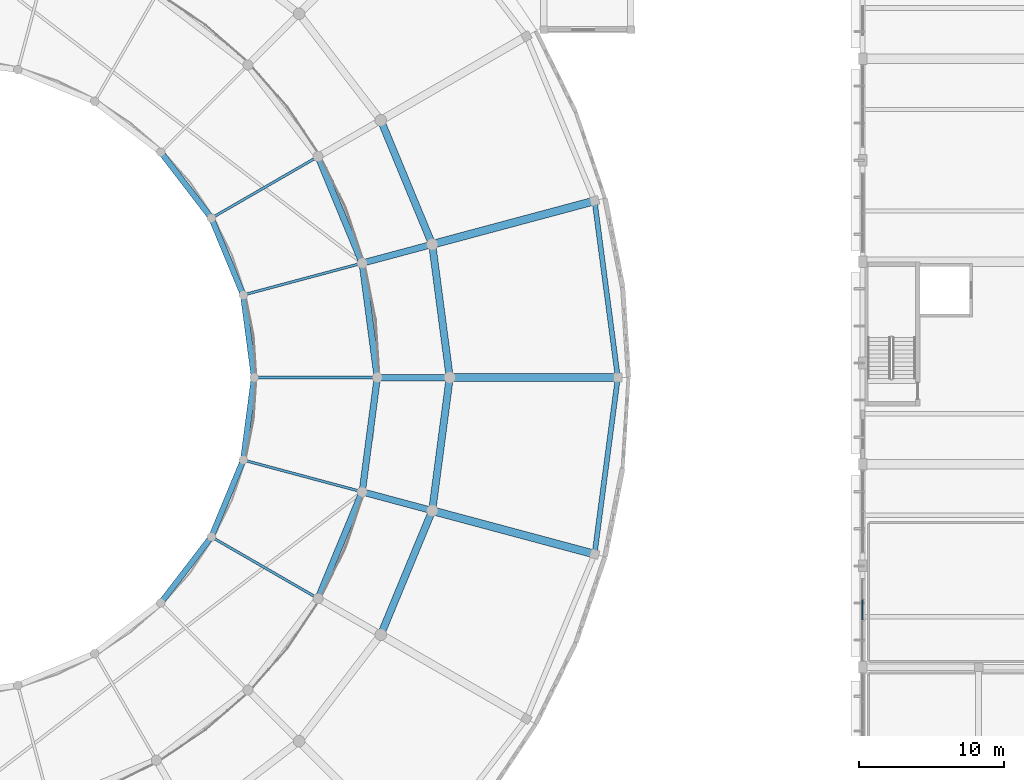
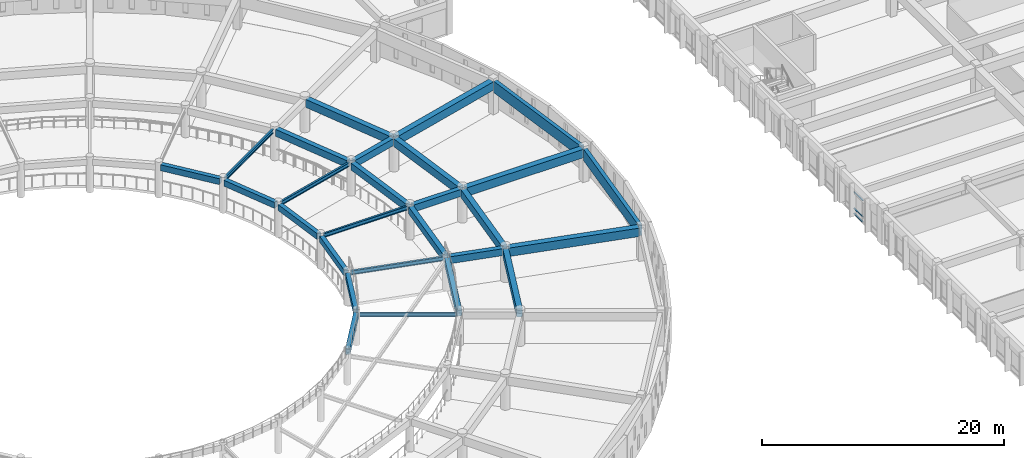
# One storey, part 14 of 155: 27 beams, 3 members, 1 element without a shape of its own.
"""IFC4 building model written with IfcOpenShell, lengths in metres."""

from ifc_helpers import new_model, si_unit, direction, frame, origin, origin_2d, place, context, subcontext, project, spatial, rectangle, i_section, extrude, material, material_profile, profile_set, type_object, element, aggregate, save


model = new_model("IFC4")

# Units and contexts
model_context = context("Model", 3, precision=1e-05, world=origin(), true_north=direction((0.0, 1.0)))
body_context = subcontext(model_context, "Body", "Model", "MODEL_VIEW")
ifc_project = project(units=[si_unit("LENGTHUNIT", "METRE"), si_unit("AREAUNIT", "SQUARE_METRE"), si_unit("VOLUMEUNIT", "CUBIC_METRE"), si_unit("PLANEANGLEUNIT", "RADIAN"), si_unit("MASSUNIT", "GRAM", prefix="KILO")], contexts=[model_context])

# Site, building, storey
site_placement = place(None, origin())
site = spatial("IfcSite", under=ifc_project, at=site_placement, CompositionType="ELEMENT")
building_placement = place(site_placement, origin())
building = spatial("IfcBuilding", under=site, at=building_placement, Name="Larkveld Mobility Hub", CompositionType="ELEMENT")
storey_placement = place(building_placement, frame((0.0, 0.0, 8.39990234375)))
storey = spatial("IfcBuildingStorey", under=building, at=storey_placement, Name="L02", CompositionType="ELEMENT", Elevation=8.39990234375)

# Beams
ifc_material_1 = material(Name="Concrete C40/50", Category="concrete")
ifc_material_profile_1 = material_profile(ifc_material_1, rectangle(XDim=0.39990234375, YDim=0.60009765625, at=origin_2d()), Name="RC BM 400x600")
ifc_profile_set_1 = profile_set([ifc_material_profile_1], Name="Concrete C40/50")
beam_type_1 = type_object("IfcBeamType", Name="BM-RC4060", PredefinedType="BEAM", material=ifc_profile_set_1)
beam_1_placement = place(storey_placement, frame((69.968994140625, 48.238037109375, 3.03515625), z_axis=(-0.130717291413, 0.991419683951, 0.0), x_axis=(-0.991419683951, -0.130717291413, 0.0)))
element("IfcBeam", 1, at=beam_1_placement, inside=storey, type_object=beam_type_1, Name="Drum Chord Ring Beam L02-1620", PredefinedType="BEAM", context=body_context, shape_type="SweptSolid", body=[
    extrude(rectangle(XDim=0.39990234375, YDim=0.60009765625, at=origin_2d()), origin(), (0.0, 0.0, 1.0), 5.26318359375),
])
beam_2_placement = place(storey_placement, frame((69.157958984375, 53.916015625, 3.03515625), z_axis=(-0.382522527323, 0.923946165147, 0.0), x_axis=(-0.923946165147, -0.382522527323, 0.0)))
element("IfcBeam", 2, at=beam_2_placement, inside=storey, type_object=beam_type_1, Name="Drum Chord Ring Beam L02-1624", PredefinedType="BEAM", context=body_context, shape_type="SweptSolid", body=[
    extrude(rectangle(XDim=0.39990234375, YDim=0.60009765625, at=origin_2d()), origin(), (0.0, 0.0, 1.0), 5.26220703125),
])
for number, where, z_axis, x_axis, name in (
    (3, (66.906982421875, 59.18994140625, 3.03515625), (-0.608845256975, 0.793289009793, 0.0), (-0.793289009793, -0.608845256975, 0.0), "Drum Chord Ring Beam L02-1628"),
    (4, (63.701904296875, 32.634033203125, 3.03515625), (0.608845256975, 0.793289009793, 0.0), (-0.793289009793, 0.608845256975, 0.0), "Drum Chord Ring Beam L02-1703"),
):
    element("IfcBeam", number, at=place(storey_placement, frame(where, z_axis=z_axis, x_axis=x_axis)), inside=storey, type_object=beam_type_1, Name=name, PredefinedType="BEAM", context=body_context, shape_type="SweptSolid", body=[
        extrude(rectangle(XDim=0.39990234375, YDim=0.60009765625, at=origin_2d()), origin(), (0.0, 0.0, 1.0), 5.26416015625),
    ])
beam_3_placement = place(storey_placement, frame((67.14501953125, 37.221923828125, 3.03515625), z_axis=(0.382522527323, 0.923946165147, 0.0), x_axis=(-0.923946165147, 0.382522527323, 0.0)))
element("IfcBeam", 5, at=beam_3_placement, inside=storey, type_object=beam_type_1, Name="Drum Chord Ring Beam L02-1707", PredefinedType="BEAM", context=body_context, shape_type="SweptSolid", body=[
    extrude(rectangle(XDim=0.39990234375, YDim=0.60009765625, at=origin_2d()), origin(), (0.0, 0.0, 1.0), 5.26220703125),
])
beam_4_placement = place(storey_placement, frame((69.281005859375, 42.5439453125, 3.03515625), z_axis=(0.130717291413, 0.991419683951, 0.0), x_axis=(-0.991419683951, 0.130717291413, 0.0)))
element("IfcBeam", 6, at=beam_4_placement, inside=storey, type_object=beam_type_1, Name="Drum Chord Ring Beam L02-1711", PredefinedType="BEAM", context=body_context, shape_type="SweptSolid", body=[
    extrude(rectangle(XDim=0.39990234375, YDim=0.60009765625, at=origin_2d()), origin(), (0.0, 0.0, 1.0), 5.26318359375),
])
ifc_material_profile_2 = material_profile(ifc_material_1, rectangle(XDim=0.449951171875, YDim=0.699951171875, at=origin_2d()), Name="RC BM 450x700")
ifc_profile_set_2 = profile_set([ifc_material_profile_2], Name="Concrete C40/50")
beam_type_2 = type_object("IfcBeamType", Name="BM-RC4570", PredefinedType="BEAM", material=ifc_profile_set_2)
beam_5_placement = place(storey_placement, frame((78.739990234375, 48.0, 2.985107421875), z_axis=(1.0, 0.0, 0.0), x_axis=(0.0, 1.0, 0.0)))
element("IfcBeam", 7, at=beam_5_placement, inside=storey, type_object=beam_type_2, Name="Drum Radial Girder L02-1550", PredefinedType="BEAM", context=body_context, shape_type="SweptSolid", body=[
    extrude(rectangle(XDim=0.449951171875, YDim=0.699951171875, at=origin_2d()), origin(), (0.0, 0.0, 1.0), 4.52001953125),
])
for number, where, z_axis, x_axis, name in (
    (8, (77.693115234375, 55.9560546875, 2.985107421875), (0.96590777444, 0.258886406125, 0.0), (-0.258886406125, 0.96590777444, 0.0), "Drum Radial Girder L02-1553"),
    (9, (77.693115234375, 40.0439453125, 2.985107421875), (0.96590777444, -0.258886406125, 0.0), (0.258886406125, 0.96590777444, 0.0), "Drum Radial Girder L02-1618"),
):
    element("IfcBeam", number, at=place(storey_placement, frame(where, z_axis=z_axis, x_axis=x_axis)), inside=storey, type_object=beam_type_2, Name=name, PredefinedType="BEAM", context=body_context, shape_type="SweptSolid", body=[
        extrude(rectangle(XDim=0.449951171875, YDim=0.699951171875, at=origin_2d()), origin(), (0.0, 0.0, 1.0), 4.51904296875),
    ])
beam_6_placement = place(storey_placement, frame((78.468994140625, 48.238037109375, 2.985107421875), z_axis=(-0.1305861874, 0.991436961012, 0.0), x_axis=(-0.991436961012, -0.1305861874, 0.0)))
element("IfcBeam", 10, at=beam_6_placement, inside=storey, type_object=beam_type_2, Name="Drum Chord Ring Beam L02-1621", PredefinedType="BEAM", context=body_context, shape_type="SweptSolid", body=[
    extrude(rectangle(XDim=0.449951171875, YDim=0.699951171875, at=origin_2d()), origin(), (0.0, 0.0, 1.0), 7.48193359375),
])
for number, where, z_axis, x_axis, name in (
    (11, (77.368896484375, 56.115966796875, 2.985107421875), (-0.382649607255, 0.923893542605, 0.0), (-0.923893542605, -0.382649607255, 0.0), "Drum Chord Ring Beam L02-1625"),
    (12, (74.506103515625, 32.971923828125, 2.985107421875), (0.382649607255, 0.923893542605, 0.0), (-0.923893542605, 0.382649607255, 0.0), "Drum Chord Ring Beam L02-1708"),
):
    element("IfcBeam", number, at=place(storey_placement, frame(where, z_axis=z_axis, x_axis=x_axis)), inside=storey, type_object=beam_type_2, Name=name, PredefinedType="BEAM", context=body_context, shape_type="SweptSolid", body=[
        extrude(rectangle(XDim=0.449951171875, YDim=0.699951171875, at=origin_2d()), origin(), (0.0, 0.0, 1.0), 7.4814453125),
    ])
beam_7_placement = place(storey_placement, frame((77.491943359375, 40.343994140625, 2.985107421875), z_axis=(0.1305861874, 0.991436961012, 0.0), x_axis=(-0.991436961012, 0.1305861874, 0.0)))
element("IfcBeam", 13, at=beam_7_placement, inside=storey, type_object=beam_type_2, Name="Drum Chord Ring Beam L02-1712", PredefinedType="BEAM", context=body_context, shape_type="SweptSolid", body=[
    extrude(rectangle(XDim=0.449951171875, YDim=0.699951171875, at=origin_2d()), origin(), (0.0, 0.0, 1.0), 7.48193359375),
])
ifc_material_profile_3 = material_profile(ifc_material_1, rectangle(XDim=0.5, YDim=0.800048828125, at=origin_2d()), Name="RC BM 500x800")
ifc_profile_set_3 = profile_set([ifc_material_profile_3], Name="Concrete C40/50")
beam_type_3 = type_object("IfcBeamType", Name="BM-RC5080", PredefinedType="BEAM", material=ifc_profile_set_3)
beam_8_placement = place(storey_placement, frame((83.468994140625, 48.238037109375, 2.93505859375), z_axis=(-0.130638498674, 0.991430069478, 0.0), x_axis=(-0.991430069478, -0.130638498674, 0.0)))
element("IfcBeam", 14, at=beam_8_placement, inside=storey, type_object=beam_type_3, Name="Drum Chord Ring Beam L02-1622", PredefinedType="BEAM", context=body_context, shape_type="SweptSolid", body=[
    extrude(rectangle(XDim=0.5, YDim=0.800048828125, at=origin_2d()), origin(), (0.0, 0.0, 1.0), 8.787109375),
])
for number, where, z_axis, x_axis, name in (
    (15, (82.197998046875, 57.409912109375, 2.93505859375), (-0.382625816799, 0.923903395556, 0.0), (-0.923903395556, -0.382625816799, 0.0), "Drum Chord Ring Beam L02-1626"),
    (16, (78.8359375, 30.471923828125, 2.93505859375), (0.382625816799, 0.923903395556, 0.0), (-0.923903395556, 0.382625816799, 0.0), "Drum Chord Ring Beam L02-1709"),
):
    element("IfcBeam", number, at=place(storey_placement, frame(where, z_axis=z_axis, x_axis=x_axis)), inside=storey, type_object=beam_type_3, Name=name, PredefinedType="BEAM", context=body_context, shape_type="SweptSolid", body=[
        extrude(rectangle(XDim=0.5, YDim=0.800048828125, at=origin_2d()), origin(), (0.0, 0.0, 1.0), 8.786865234375),
    ])
beam_9_placement = place(storey_placement, frame((82.321044921875, 39.050048828125, 2.93505859375), z_axis=(0.130638498674, 0.991430069478, 0.0), x_axis=(-0.991430069478, 0.130638498674, 0.0)))
element("IfcBeam", 17, at=beam_9_placement, inside=storey, type_object=beam_type_3, Name="Drum Chord Ring Beam L02-1713", PredefinedType="BEAM", context=body_context, shape_type="SweptSolid", body=[
    extrude(rectangle(XDim=0.5, YDim=0.800048828125, at=origin_2d()), origin(), (0.0, 0.0, 1.0), 8.787109375),
])
ifc_material_profile_4 = material_profile(ifc_material_1, rectangle(XDim=0.550048828125, YDim=0.85009765625, at=origin_2d()), Name="RC BM 550x850")
ifc_profile_set_4 = profile_set([ifc_material_profile_4], Name="Concrete C40/50")
beam_type_4 = type_object("IfcBeamType", Name="BM-RC5585", PredefinedType="BEAM", material=ifc_profile_set_4)
beam_10_placement = place(storey_placement, frame((83.739990234375, 48.0, 2.91015625), z_axis=(1.0, 0.0, 0.0), x_axis=(0.0, 1.0, 0.0)))
element("IfcBeam", 18, at=beam_10_placement, inside=storey, type_object=beam_type_4, Name="Drum Radial Girder L02-1551", PredefinedType="BEAM", context=body_context, shape_type="SweptSolid", body=[
    extrude(rectangle(XDim=0.550048828125, YDim=0.85009765625, at=origin_2d()), origin(), (0.0, 0.0, 1.0), 11.1201171875),
])
for number, where, z_axis, x_axis, name in (
    (19, (82.52197265625, 57.25, 2.91015625), (0.965928157481, 0.258810344821, 0.0), (-0.258810344821, 0.965928157481, 0.0), "Drum Radial Girder L02-1554"),
    (20, (82.52197265625, 38.75, 2.91015625), (0.965928157481, -0.258810344821, 0.0), (0.258810344821, 0.965928157481, 0.0), "Drum Radial Girder L02-1619"),
):
    element("IfcBeam", number, at=place(storey_placement, frame(where, z_axis=z_axis, x_axis=x_axis)), inside=storey, type_object=beam_type_4, Name=name, PredefinedType="BEAM", context=body_context, shape_type="SweptSolid", body=[
        extrude(rectangle(XDim=0.550048828125, YDim=0.85009765625, at=origin_2d()), origin(), (0.0, 0.0, 1.0), 11.119873046875),
    ])
ifc_material_2 = material(Name="Precast concrete C50/60", Category="concrete")
ifc_material_profile_5 = material_profile(ifc_material_2, rectangle(XDim=0.35009765625, YDim=1.14990234375, at=origin_2d()), Name="PC SP 350x1150")
ifc_profile_set_5 = profile_set([ifc_material_profile_5], Name="Precast concrete C50/60")
beam_type_5 = type_object("IfcBeamType", Name="BM-SP35115", PredefinedType="SPANDREL", material=ifc_profile_set_5)
for number, where, z_axis, x_axis, name in (
    (21, (95.069091796875, 48.238037109375, 2.760009765625), (-0.130613798255, 0.991433323883, 0.0), (-0.991433323883, -0.130613798255, 0.0), "Drum Chord Ring Beam L02-1623"),
    (22, (93.52587890625, 36.048095703125, 2.760009765625), (0.130613798255, 0.991433323883, 0.0), (-0.991433323883, 0.130613798255, 0.0), "Drum Chord Ring Beam L02-1714"),
):
    element("IfcBeam", number, at=place(storey_placement, frame(where, z_axis=z_axis, x_axis=x_axis)), inside=storey, type_object=beam_type_5, Name=name, PredefinedType="SPANDREL", context=body_context, shape_type="SweptSolid", body=[
        extrude(rectangle(XDim=0.35009765625, YDim=1.14990234375, at=origin_2d()), origin(), (0.0, 0.0, 1.0), 11.815185546875),
    ])
ifc_material_3 = material(Name="Steel S355JR", Category="steel")
ifc_material_profile_6 = material_profile(ifc_material_3, i_section(OverallWidth=0.179931640625, OverallDepth=0.39990234375, WebThickness=0.008544921875, FlangeThickness=0.013427734375, FilletRadius=0.02099609375, at=origin_2d()), Name="IPE 400")
ifc_profile_set_6 = profile_set([ifc_material_profile_6], Name="Steel S355JR")
beam_type_6 = type_object("IfcBeamType", Name="BM-STIPE400", PredefinedType="BEAM", material=ifc_profile_set_6)
beam_11_placement = place(storey_placement, frame((70.239990234375, 48.0, 3.135009765625), z_axis=(1.0, 0.0, 0.0), x_axis=(0.0, 1.0, 0.0)))
element("IfcBeam", 23, at=beam_11_placement, inside=storey, type_object=beam_type_6, Name="Drum Radial Girder L02-1549", PredefinedType="BEAM", context=body_context, shape_type="SweptSolid", body=[
    extrude(i_section(OverallWidth=0.179931640625, OverallDepth=0.39990234375, WebThickness=0.008544921875, FlangeThickness=0.013427734375, FilletRadius=0.02099609375, at=origin_2d()), origin(), (0.0, 0.0, 1.0), 8.02001953125),
])
beam_12_placement = place(storey_placement, frame((69.48193359375, 53.756103515625, 3.135009765625), z_axis=(0.96592250653, 0.258831434294, 0.0), x_axis=(-0.258831434294, 0.96592250653, 0.0)))
element("IfcBeam", 24, at=beam_12_placement, inside=storey, type_object=beam_type_6, Name="Drum Radial Girder L02-1552", PredefinedType="BEAM", context=body_context, shape_type="SweptSolid", body=[
    extrude(i_section(OverallWidth=0.179931640625, OverallDepth=0.39990234375, WebThickness=0.008544921875, FlangeThickness=0.013427734375, FilletRadius=0.02099609375, at=origin_2d()), origin(), (0.0, 0.0, 1.0), 8.020263671875),
])
for number, where, z_axis, x_axis, name in (
    (25, (67.260986328125, 59.1201171875, 3.135009765625), (0.86602386286, 0.50000266895, 0.0), (-0.50000266895, 0.86602386286, 0.0), "Drum Radial Girder L02-1555"),
    (26, (67.260986328125, 36.8798828125, 2.955078125), (0.86602386286, -0.50000266895, 0.0), (0.50000266895, 0.86602386286, 0.0), "Drum Radial Girder L02-1614"),
):
    element("IfcBeam", number, at=place(storey_placement, frame(where, z_axis=z_axis, x_axis=x_axis)), inside=storey, type_object=beam_type_6, Name=name, PredefinedType="BEAM", context=body_context, shape_type="SweptSolid", body=[
        extrude(i_section(OverallWidth=0.179931640625, OverallDepth=0.39990234375, WebThickness=0.008544921875, FlangeThickness=0.013427734375, FilletRadius=0.02099609375, at=origin_2d()), origin(), (0.0, 0.0, 1.0), 8.01953125),
    ])
beam_13_placement = place(storey_placement, frame((69.48193359375, 42.243896484375, 3.135009765625), z_axis=(0.96592250653, -0.258831434294, 0.0), x_axis=(0.258831434294, 0.96592250653, 0.0)))
element("IfcBeam", 27, at=beam_13_placement, inside=storey, type_object=beam_type_6, Name="Drum Radial Girder L02-1617", PredefinedType="BEAM", context=body_context, shape_type="SweptSolid", body=[
    extrude(i_section(OverallWidth=0.179931640625, OverallDepth=0.39990234375, WebThickness=0.008544921875, FlangeThickness=0.013427734375, FilletRadius=0.02099609375, at=origin_2d()), origin(), (0.0, 0.0, 1.0), 8.020263671875),
])

# Curtain wall, members
ifc_material_4 = material(Name="Anodised aluminium 6063-T6", Category="aluminium")
curtain_wall_type = type_object("IfcCurtainWallType", Name="CW-SYS-04", PredefinedType="NOTDEFINED", material=ifc_material_4)
curtain_wall_placement = place(storey_placement, origin())
curtain_wall = element("IfcCurtainWall", 28, at=curtain_wall_placement, inside=storey, type_object=curtain_wall_type, Name="EV Wing West Glazing L02 CW-136", PredefinedType="NOTDEFINED")
ifc_material_profile_7 = material_profile(ifc_material_4, rectangle(XDim=0.10009765625, YDim=0.050048828125, at=origin_2d()), Name="ALU TRAN 50x100")
ifc_profile_set_7 = profile_set([ifc_material_profile_7], Name="Anodised aluminium 6063-T6")
member_type = type_object("IfcMemberType", Name="CW-TRN-04", PredefinedType="USERDEFINED", material=ifc_profile_set_7)
member_1_placement = place(storey_placement, frame((112.0, 32.6630859375, 0.030029296875), z_axis=(0.0, -1.0, 0.0), x_axis=(1.0, 0.0, 0.0)))
member_1 = element("IfcMember", 29, at=member_1_placement, type_object=member_type, Name="CW04 transom 2.1", ObjectType="TRANSOM", PredefinedType="USERDEFINED", context=body_context, shape_type="SweptSolid", body=[
    extrude(rectangle(XDim=0.10009765625, YDim=0.050048828125, at=origin_2d()), origin(), (0.0, 0.0, 1.0), 1.39306640625),
])
member_2_placement = place(storey_placement, frame((112.0, 32.6630859375, 0.552001953125), z_axis=(0.0, -1.0, 0.0), x_axis=(1.0, 0.0, 0.0)))
member_2 = element("IfcMember", 30, at=member_2_placement, type_object=member_type, Name="CW04 transom 2.2", ObjectType="TRANSOM", PredefinedType="USERDEFINED", context=body_context, shape_type="SweptSolid", body=[
    extrude(rectangle(XDim=0.10009765625, YDim=0.050048828125, at=origin_2d()), origin(), (0.0, 0.0, 1.0), 1.39306640625),
])
member_3_placement = place(storey_placement, frame((112.0, 32.6630859375, 2.177978515625), z_axis=(0.0, -1.0, 0.0), x_axis=(1.0, 0.0, 0.0)))
member_3 = element("IfcMember", 31, at=member_3_placement, type_object=member_type, Name="CW04 transom 2.3", ObjectType="TRANSOM", PredefinedType="USERDEFINED", context=body_context, shape_type="SweptSolid", body=[
    extrude(rectangle(XDim=0.10009765625, YDim=0.050048828125, at=origin_2d()), origin(), (0.0, 0.0, 1.0), 1.39306640625),
])
aggregate(curtain_wall, [member_1, member_2, member_3])

save(model, "model.ifc")
